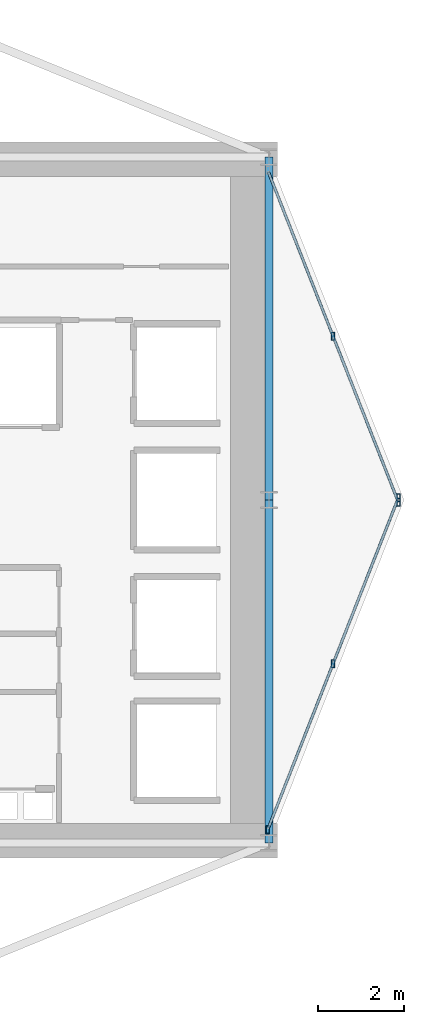
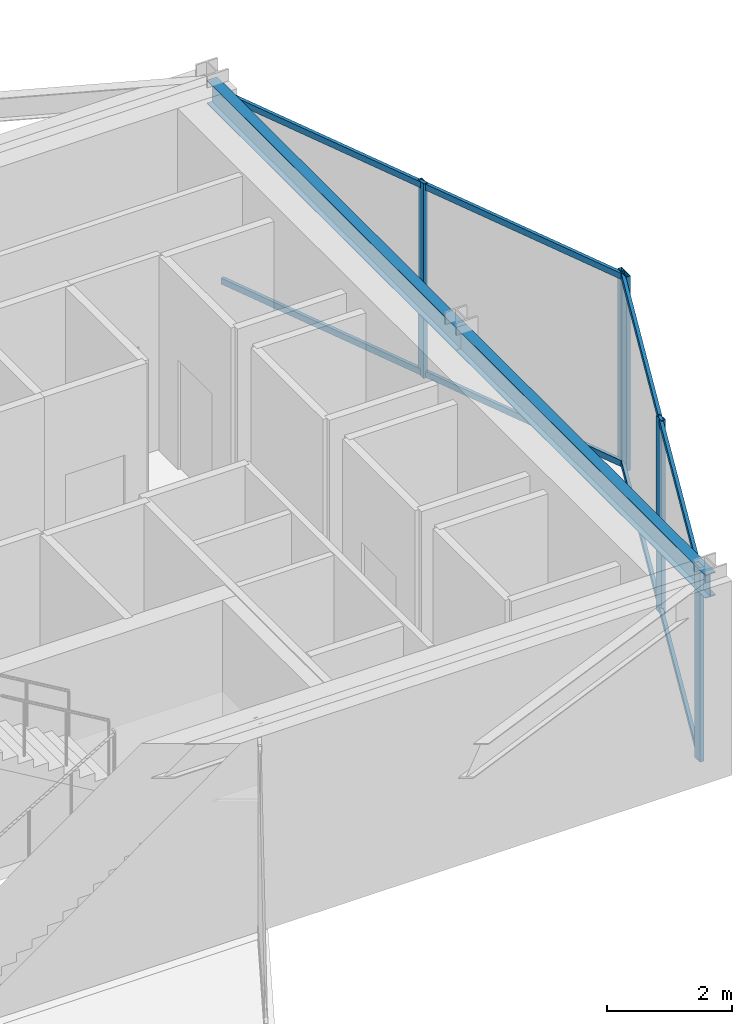
# One storey, part 14 of 25: 9 members, 2 beams, 2 elements without a shape of their own.
"""IFC4 building model written with IfcOpenShell, lengths in metres."""

from ifc_helpers import new_model, si_unit, direction, frame, origin, origin_2d, place, context, subcontext, project, spatial, hollow_rectangle, i_section, extrude, material, layer, layer_set, material_profile, profile_set, type_object, element, aggregate, save


model = new_model("IFC4")

# Units and contexts
model_context = context("Model", 3, precision=1e-05, world=origin(), true_north=direction((0.0, 1.0)))
body_context = subcontext(model_context, "Body", "Model", "MODEL_VIEW")
ifc_project = project(units=[si_unit("LENGTHUNIT", "METRE"), si_unit("AREAUNIT", "SQUARE_METRE"), si_unit("VOLUMEUNIT", "CUBIC_METRE"), si_unit("PLANEANGLEUNIT", "RADIAN"), si_unit("MASSUNIT", "GRAM", prefix="KILO")], contexts=[model_context])

# Site, building, storey
site_placement = place(None, origin())
site = spatial("IfcSite", under=ifc_project, at=site_placement, CompositionType="ELEMENT")
building_placement = place(site_placement, origin())
building = spatial("IfcBuilding", under=site, at=building_placement, Name="Veymaron Broadcast Tower", CompositionType="ELEMENT")
storey_placement = place(building_placement, frame((0.0, 0.0, 145.199951171875)))
storey = spatial("IfcBuildingStorey", under=building, at=storey_placement, Name="L33", CompositionType="ELEMENT", Elevation=145.199951171875)

# Beams
ifc_material_1 = material(Name="Structural steel ASTM A992 Gr 50", Category="steel")
ifc_material_profile_1 = material_profile(ifc_material_1, i_section(OverallWidth=0.19091796875, OverallDepth=0.4599609375, WebThickness=0.010009765625, FlangeThickness=0.01611328125, at=origin_2d()), Name="W460X82")
ifc_profile_set_1 = profile_set([ifc_material_profile_1], Name="Structural steel ASTM A992 Gr 50")
beam_type = type_object("IfcBeamType", Name="BM-SP1", PredefinedType="SPANDREL", material=ifc_profile_set_1)
for number, where, z_axis, x_axis, name in (
    (1, (54.60009765625, 16.0, 3.580078125), (0.0, 1.0, 0.0), (-1.0, 0.0, 0.0), "L33 primary structural floor girder"),
    (2, (54.60009765625, 24.0, 3.580078125), (0.0, 1.0, 0.0), (-1.0, 0.0, 0.0), "L33 primary structural floor girder"),
):
    element("IfcBeam", number, at=place(storey_placement, frame(where, z_axis=z_axis, x_axis=x_axis)), inside=storey, type_object=beam_type, Name=name, PredefinedType="SPANDREL", context=body_context, shape_type="SweptSolid", body=[
        extrude(i_section(OverallWidth=0.19091796875, OverallDepth=0.4599609375, WebThickness=0.010009765625, FlangeThickness=0.01611328125, at=origin_2d()), origin(), (0.0, 0.0, 1.0), 8.0),
    ])

# Curtain wall, members
ifc_material_2 = material(Name="Anodised aluminium AA 6063-T6 and laminated low-E dark glass", Category="aluminium")
ifc_layer = layer(ifc_material_2, 0.179931640625)
ifc_layer_set = layer_set([ifc_layer], Name="Anodised aluminium AA 6063-T6 and laminated low-E dark glass")
curtain_wall_type = type_object("IfcCurtainWallType", Name="CW-SYS-03", PredefinedType="NOTDEFINED", material=ifc_layer_set)
curtain_wall_1_placement = place(storey_placement, origin())
curtain_wall_1 = element("IfcCurtainWall", 3, at=curtain_wall_1_placement, inside=storey, type_object=curtain_wall_type, Name="L33 dark-glass curtain wall CW-L33-E2-1", PredefinedType="NOTDEFINED")
ifc_material_3 = material(Name="Anodised aluminium AA 6063-T6", Category="aluminium")
ifc_material_profile_2 = material_profile(ifc_material_3, hollow_rectangle(XDim=0.074951171875, YDim=0.179931640625, WallThickness=0.0048828125, at=origin_2d()), Name="AL180X75X5")
ifc_profile_set_2 = profile_set([ifc_material_profile_2], Name="Anodised aluminium AA 6063-T6")
member_type_1 = type_object("IfcMemberType", Name="CW-MUL-02", PredefinedType="MULLION", material=ifc_profile_set_2)
member_1_placement = place(storey_placement, frame((54.569091796875, 16.303466796875, 0.0), z_axis=(0.0, 0.0, 1.0), x_axis=(1.0, 0.0, 0.0)))
member_1 = element("IfcMember", 4, at=member_1_placement, type_object=member_type_1, Name="CW-L33-E2-1 mullion 0", PredefinedType="MULLION", context=body_context, shape_type="SweptSolid", body=[
    extrude(hollow_rectangle(XDim=0.074951171875, YDim=0.179931640625, WallThickness=0.0048828125, at=origin_2d()), origin(), (0.0, 0.0, 1.0), 3.81005859375),
])
member_2_placement = place(storey_placement, frame((56.094482421875, 20.177490234375, 0.0), z_axis=(0.0, 0.0, 1.0), x_axis=(1.0, 0.0, 0.0)))
member_2 = element("IfcMember", 5, at=member_2_placement, type_object=member_type_1, Name="CW-L33-E2-1 mullion 1", PredefinedType="MULLION", context=body_context, shape_type="SweptSolid", body=[
    extrude(hollow_rectangle(XDim=0.074951171875, YDim=0.179931640625, WallThickness=0.0048828125, at=origin_2d()), origin(), (0.0, 0.0, 1.0), 3.81005859375),
])
member_3_placement = place(storey_placement, frame((57.61962890625, 24.05126953125, 0.0), z_axis=(0.0, 0.0, 1.0), x_axis=(1.0, 0.0, 0.0)))
member_3 = element("IfcMember", 6, at=member_3_placement, type_object=member_type_1, Name="CW-L33-E2-1 mullion 2", PredefinedType="MULLION", context=body_context, shape_type="SweptSolid", body=[
    extrude(hollow_rectangle(XDim=0.074951171875, YDim=0.179931640625, WallThickness=0.0048828125, at=origin_2d()), origin(), (0.0, 0.0, 1.0), 3.81005859375),
])

curtain_wall_2_placement = place(storey_placement, origin())
curtain_wall_2 = element("IfcCurtainWall", 7, at=curtain_wall_2_placement, inside=storey, type_object=curtain_wall_type, Name="L33 dark-glass curtain wall CW-L33-E3-1", PredefinedType="NOTDEFINED")
member_4_placement = place(storey_placement, frame((57.61962890625, 23.94873046875, 0.0), z_axis=(0.0, 0.0, 1.0), x_axis=(1.0, 0.0, 0.0)))
member_4 = element("IfcMember", 8, at=member_4_placement, type_object=member_type_1, Name="CW-L33-E3-1 mullion 0", PredefinedType="MULLION", context=body_context, shape_type="SweptSolid", body=[
    extrude(hollow_rectangle(XDim=0.074951171875, YDim=0.179931640625, WallThickness=0.0048828125, at=origin_2d()), origin(), (0.0, 0.0, 1.0), 3.81005859375),
])
member_5_placement = place(storey_placement, frame((56.094482421875, 27.822509765625, 0.0), z_axis=(0.0, 0.0, 1.0), x_axis=(1.0, 0.0, 0.0)))
member_5 = element("IfcMember", 9, at=member_5_placement, type_object=member_type_1, Name="CW-L33-E3-1 mullion 1", PredefinedType="MULLION", context=body_context, shape_type="SweptSolid", body=[
    extrude(hollow_rectangle(XDim=0.074951171875, YDim=0.179931640625, WallThickness=0.0048828125, at=origin_2d()), origin(), (0.0, 0.0, 1.0), 3.81005859375),
])

# Member
ifc_material_profile_3 = material_profile(ifc_material_3, hollow_rectangle(XDim=0.06005859375, YDim=0.1201171875, WallThickness=0.00390625, at=origin_2d()), Name="AL120X60X4")
ifc_profile_set_3 = profile_set([ifc_material_profile_3], Name="Anodised aluminium AA 6063-T6")
member_type_2 = type_object("IfcMemberType", Name="CW-TRN-02", PredefinedType="USERDEFINED", material=ifc_profile_set_3)
member_6_placement = place(storey_placement, frame((54.58740234375, 16.349853515625, 0.070068359375), z_axis=(0.366345467146, 0.930478908252, 0.0), x_axis=(-0.930478908252, 0.366345467146, 0.0)))
member_6 = element("IfcMember", 10, at=member_6_placement, type_object=member_type_2, Name="CW-L33-E2-1 transom B", ObjectType="TRANSOM", PredefinedType="USERDEFINED", context=body_context, shape_type="SweptSolid", body=[
    extrude(hollow_rectangle(XDim=0.06005859375, YDim=0.1201171875, WallThickness=0.00390625, at=origin_2d()), origin(), (0.0, 0.0, 1.0), 8.22705078125),
])

member_7_placement = place(storey_placement, frame((54.58740234375, 16.349853515625, 3.739990234375), z_axis=(0.366345467146, 0.930478908252, 0.0), x_axis=(-0.930478908252, 0.366345467146, 0.0)))
member_7 = element("IfcMember", 11, at=member_7_placement, type_object=member_type_2, Name="CW-L33-E2-1 transom T", ObjectType="TRANSOM", PredefinedType="USERDEFINED", context=body_context, shape_type="SweptSolid", body=[
    extrude(hollow_rectangle(XDim=0.06005859375, YDim=0.1201171875, WallThickness=0.00390625, at=origin_2d()), origin(), (0.0, 0.0, 1.0), 8.22705078125),
])

aggregate(curtain_wall_1, [member_1, member_2, member_3, member_6, member_7])

member_8_placement = place(storey_placement, frame((57.601318359375, 23.9951171875, 0.070068359375), z_axis=(-0.366345467146, 0.930478908252, 0.0), x_axis=(-0.930478908252, -0.366345467146, 0.0)))
member_8 = element("IfcMember", 12, at=member_8_placement, type_object=member_type_2, Name="CW-L33-E3-1 transom B", ObjectType="TRANSOM", PredefinedType="USERDEFINED", context=body_context, shape_type="SweptSolid", body=[
    extrude(hollow_rectangle(XDim=0.06005859375, YDim=0.1201171875, WallThickness=0.00390625, at=origin_2d()), origin(), (0.0, 0.0, 1.0), 8.22705078125),
])

member_9_placement = place(storey_placement, frame((57.601318359375, 23.9951171875, 3.739990234375), z_axis=(-0.366345467146, 0.930478908252, 0.0), x_axis=(-0.930478908252, -0.366345467146, 0.0)))
member_9 = element("IfcMember", 13, at=member_9_placement, type_object=member_type_2, Name="CW-L33-E3-1 transom T", ObjectType="TRANSOM", PredefinedType="USERDEFINED", context=body_context, shape_type="SweptSolid", body=[
    extrude(hollow_rectangle(XDim=0.06005859375, YDim=0.1201171875, WallThickness=0.00390625, at=origin_2d()), origin(), (0.0, 0.0, 1.0), 8.22705078125),
])

aggregate(curtain_wall_2, [member_4, member_5, member_8, member_9])

save(model, "model.ifc")
